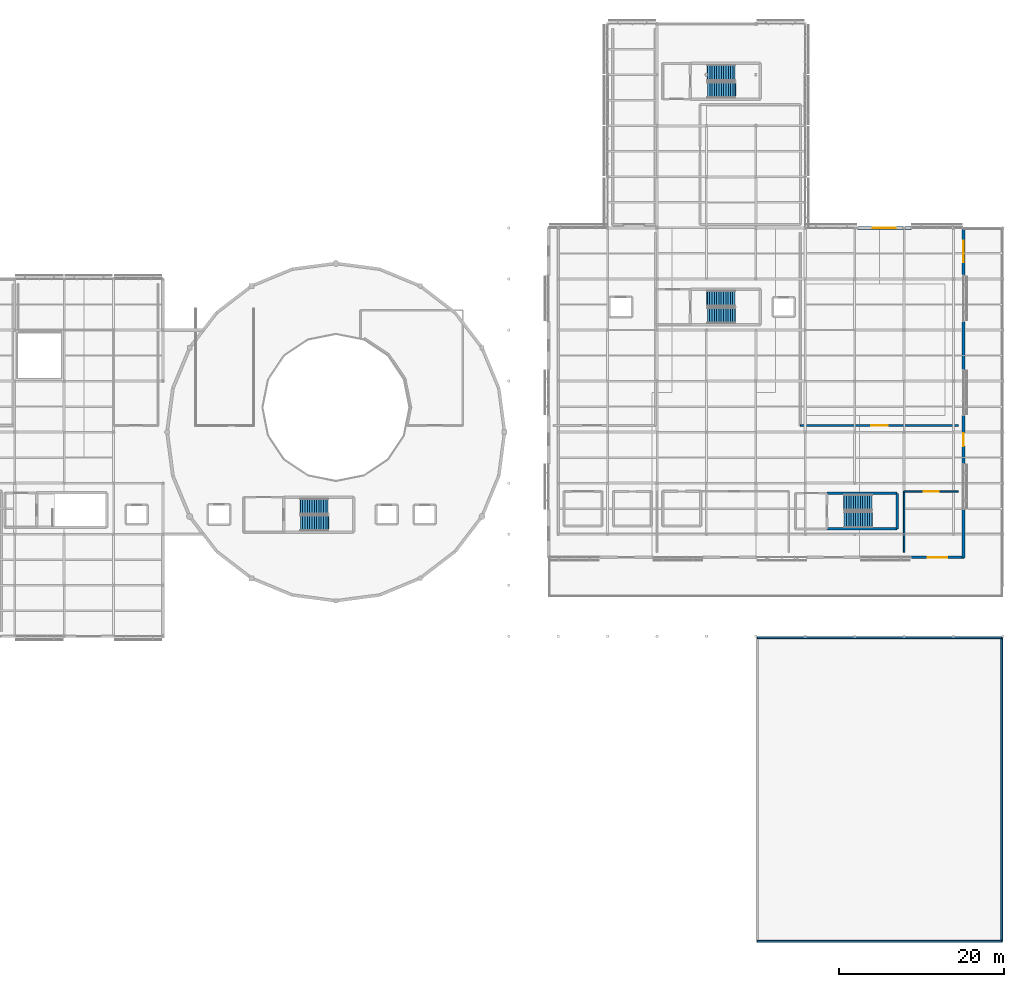
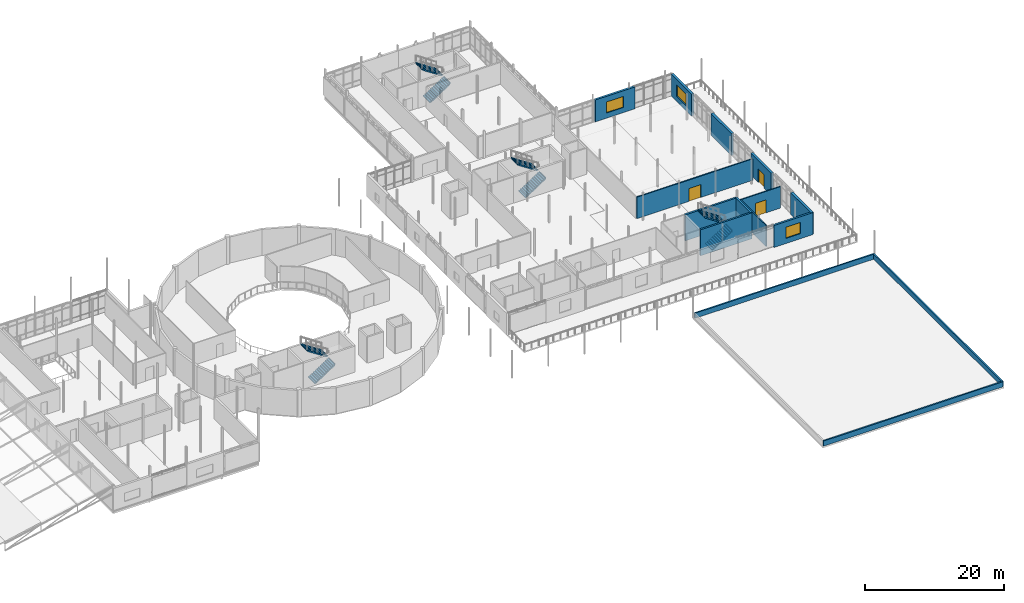
# One storey, part 49 of 66: 15 walls, 8 stair flights, 3 doors, 3 windows, 6 openings, 4 elements without a shape of their own.
"""IFC4 building model written with IfcOpenShell, lengths in metres."""

import ifcopenshell
import ifcopenshell.guid

model = None  # the IFC model being written
_history = None  # IfcOwnerHistory: only IFC2X3 demands one
_inside = {}  # id of a spatial element -> (the spatial element, [elements in it])
_under = {}  # id of a project, library or spatial element -> (it, [spatial elements below it])
_declared = {}  # id of a project -> (the project, [libraries it declares])
_typed = {}  # id of a type object -> (the type object, [elements of that type])
_made_of = {}  # id of a material, layer set ... -> (it, [elements and type objects made of it])


def new_model(schema):
    """Start an empty IFC model of exactly this schema.

    Asked for "IFC4X3", IfcOpenShell would pick the latest addendum, in which some entities
    have other attributes; the version numbers below select the first issue.
    IFC2X3 requires an IfcOwnerHistory on every rooted entity: one is made here for all.
    """
    global model, _history
    if schema == "IFC4X3":
        model = ifcopenshell.file(schema_version=(4, 3, 0, 0))
    else:
        model = ifcopenshell.file(schema=schema)
    _inside.clear()
    _under.clear()
    _declared.clear()
    _typed.clear()
    _made_of.clear()
    _history = None
    if model.schema == "IFC2X3":
        org = make("IfcOrganization", Name="unknown")
        user = make(
            "IfcPersonAndOrganization",
            ThePerson=make("IfcPerson", FamilyName="unknown"),
            TheOrganization=org,
        )
        app = make(
            "IfcApplication",
            ApplicationDeveloper=org,
            Version="unknown",
            ApplicationFullName="unknown",
            ApplicationIdentifier="unknown",
        )
        _history = make(
            "IfcOwnerHistory",
            OwningUser=user,
            OwningApplication=app,
            ChangeAction="ADDED",
            CreationDate=0,
        )
    return model


def make(cls, **values):
    """One entity of the class cls with the attributes given. An attribute that is None is left unset."""
    return model.create_entity(
        cls, **{name: value for name, value in values.items() if value is not None}
    )


def rooted(cls, **values):
    """An entity with a GlobalId (a new one), such as an element, a storey or a relation."""
    return make(cls, GlobalId=ifcopenshell.guid.new(), OwnerHistory=_history, **values)


def si_unit(unit_type, name, prefix=None):
    """IfcSIUnit, for example si_unit("LENGTHUNIT", "METRE", prefix="MILLI")."""
    return make("IfcSIUnit", UnitType=unit_type, Prefix=prefix, Name=name)


def assignment(units):
    """IfcUnitAssignment: the units of a project."""
    return None if units is None else make("IfcUnitAssignment", Units=units)


def point(xyz):
    """IfcCartesianPoint."""
    return None if xyz is None else make("IfcCartesianPoint", Coordinates=xyz)


def direction(xyz):
    """IfcDirection."""
    return None if xyz is None else make("IfcDirection", DirectionRatios=xyz)


def frame(location, z_axis=None, x_axis=None):
    """IfcAxis2Placement3D, a coordinate frame: its origin and axes. An axis left out is left unset."""
    return make(
        "IfcAxis2Placement3D",
        Location=point(location),
        Axis=direction(z_axis),
        RefDirection=direction(x_axis),
    )


def frame_2d(location, x_axis=None):
    """IfcAxis2Placement2D, a coordinate frame in the plane: its origin and x axis."""
    return make(
        "IfcAxis2Placement2D", Location=point(location), RefDirection=direction(x_axis)
    )


def origin():
    """The frame at (0, 0, 0) with its axes left unset."""
    return frame((0.0, 0.0, 0.0))


def place(relative_to, where):
    """IfcLocalPlacement: puts the frame where relative to a parent placement (None: the world)."""
    return make(
        "IfcLocalPlacement", PlacementRelTo=relative_to, RelativePlacement=where
    )


def context(
    kind, dimensions, precision=None, world=None, true_north=None, identifier=None
):
    """IfcGeometricRepresentationContext, for example the 3D "Model" context."""
    return make(
        "IfcGeometricRepresentationContext",
        ContextIdentifier=identifier,
        ContextType=kind,
        CoordinateSpaceDimension=dimensions,
        Precision=precision,
        WorldCoordinateSystem=world,
        TrueNorth=true_north,
    )


def subcontext(parent, identifier, kind, view, scale=None):
    """IfcGeometricRepresentationSubContext, for example "Body" below "Model"."""
    return make(
        "IfcGeometricRepresentationSubContext",
        ContextIdentifier=identifier,
        ContextType=kind,
        ParentContext=parent,
        TargetScale=scale,
        TargetView=view,
    )


def project(units=None, contexts=None):
    """IfcProject with its units and contexts."""
    return rooted(
        "IfcProject",
        Name="project",
        RepresentationContexts=contexts,
        UnitsInContext=assignment(units),
    )


def spatial(cls, under=None, at=None, **own):
    """A site, building, storey or space (cls), placed at a placement, below another one or the project."""
    s = rooted(cls, ObjectPlacement=at, **own)
    if under is not None:
        _under.setdefault(under.id(), (under, []))[1].append(s)
    return s


def polyline(points):
    """IfcPolyline through the points."""
    return make("IfcPolyline", Points=[point(p) for p in points])


def profile(cls, at=None, kind="AREA", **sizes):
    """A parametric profile (cls). Its sizes go by their IFC names, for example OverallWidth=200.0."""
    return make(cls, ProfileType=kind, Position=at, **sizes)


def rectangle(**sizes):
    """IfcRectangleProfileDef."""
    return profile("IfcRectangleProfileDef", **sizes)


def outline(outer, holes=None, kind="AREA"):
    """IfcArbitraryClosedProfileDef: a profile drawn as a closed curve; with holes, ...WithVoids."""
    if holes is None:
        return make("IfcArbitraryClosedProfileDef", ProfileType=kind, OuterCurve=outer)
    return make(
        "IfcArbitraryProfileDefWithVoids",
        ProfileType=kind,
        OuterCurve=outer,
        InnerCurves=holes,
    )


def extrude(swept, where, along, depth):
    """IfcExtrudedAreaSolid: the profile swept, set in the frame where, extruded along a direction by depth."""
    return make(
        "IfcExtrudedAreaSolid",
        SweptArea=swept,
        Position=where,
        ExtrudedDirection=direction(along),
        Depth=depth,
    )


def shape(context_of_items, identifier, shape_type, items):
    """IfcShapeRepresentation: the items that make up one representation, for example the "Body"."""
    return make(
        "IfcShapeRepresentation",
        ContextOfItems=context_of_items,
        RepresentationIdentifier=identifier,
        RepresentationType=shape_type,
        Items=items,
    )


def material(Name=None, Category=None):
    """IfcMaterial."""
    return make("IfcMaterial", Name=Name, Category=Category)


def layer(
    of_material, thickness, ventilated=None, Name=None, Category=None, Priority=None
):
    """IfcMaterialLayer: one layer of a wall or slab, of a material (None: an air gap)."""
    return make(
        "IfcMaterialLayer",
        Material=of_material,
        LayerThickness=thickness,
        IsVentilated=ventilated,
        Name=Name,
        Category=Category,
        Priority=Priority,
    )


def layer_set(layers, Name=None):
    """IfcMaterialLayerSet."""
    return make("IfcMaterialLayerSet", MaterialLayers=layers, LayerSetName=Name)


def made_of(thing, what):
    """Note that an element or type object is made of a material, layer set ...; save() writes the relation."""
    if what is not None:
        _made_of.setdefault(what.id(), (what, []))[1].append(thing)
    return thing


def type_object(cls, material=None, **own):
    """A type object (cls), such as IfcWallType, which elements share."""
    return made_of(rooted(cls, **own), material)


def element(
    cls,
    number,
    at=None,
    inside=None,
    cuts=None,
    type_object=None,
    material=None,
    context=None,
    identifier="Body",
    shape_type=None,
    held_by="IfcProductDefinitionShape",
    body=None,
    shapes=None,
    **own,
):
    """One element of the class cls, such as IfcWall. Its Tag is "e" and its number.

    at: its placement. inside: the storey or other place that contains it. cuts: it is an
    opening in that element (IfcRelVoidsElement). A single representation is given by context,
    identifier, shape_type and body (its items); several are given by shapes. held_by: the class
    of the entity that holds the representations. save() writes the other relations.
    """
    e = rooted(cls, Tag="e%d" % number, ObjectPlacement=at, **own)
    if body is not None:
        shapes = [shape(context, identifier, shape_type, body)]
    if shapes is not None:
        e.Representation = make(held_by, Representations=shapes)
    if inside is not None:
        _inside.setdefault(inside.id(), (inside, []))[1].append(e)
    if cuts is not None:
        rooted(
            "IfcRelVoidsElement", RelatingBuildingElement=cuts, RelatedOpeningElement=e
        )
    if type_object is not None:
        _typed.setdefault(type_object.id(), (type_object, []))[1].append(e)
    return made_of(e, material)


def fill(opening, filler):
    """IfcRelFillsElement: the door or window that sits in an opening."""
    return rooted(
        "IfcRelFillsElement",
        RelatingOpeningElement=opening,
        RelatedBuildingElement=filler,
    )


def aggregate(whole, parts):
    """IfcRelAggregates: a whole, such as a stair, and the parts it consists of."""
    return rooted("IfcRelAggregates", RelatingObject=whole, RelatedObjects=parts)


def save(model, path):
    """Write the relations noted so far, then the file.

    IfcRelAggregates (storeys below a building ...), IfcRelContainedInSpatialStructure (elements
    in a storey), IfcRelDefinesByType, IfcRelAssociatesMaterial and IfcRelDeclares: one each for
    every whole, place, type object, material and project.
    """
    for whole, parts in _under.values():
        aggregate(whole, parts)
    for where, things in _inside.values():
        rooted(
            "IfcRelContainedInSpatialStructure",
            RelatedElements=things,
            RelatingStructure=where,
        )
    for kind, things in _typed.values():
        rooted("IfcRelDefinesByType", RelatedObjects=things, RelatingType=kind)
    for what, things in _made_of.values():
        rooted("IfcRelAssociatesMaterial", RelatedObjects=things, RelatingMaterial=what)
    for by, libraries in _declared.values():
        rooted("IfcRelDeclares", RelatingContext=by, RelatedDefinitions=libraries)
    model.write(path)


model = new_model("IFC4")

# Units and contexts
model_context = context("Model", 3, precision=1e-05, world=origin(), true_north=direction((0.0, 1.0)))
body_context = subcontext(model_context, "Body", "Model", "MODEL_VIEW")
ifc_project = project(units=[si_unit("LENGTHUNIT", "METRE"), si_unit("AREAUNIT", "SQUARE_METRE"), si_unit("VOLUMEUNIT", "CUBIC_METRE"), si_unit("PLANEANGLEUNIT", "RADIAN"), si_unit("MASSUNIT", "GRAM", prefix="KILO")], contexts=[model_context])

# Site, building, storey
site_placement = place(None, origin())
site = spatial("IfcSite", under=ifc_project, at=site_placement, CompositionType="ELEMENT")
building_placement = place(site_placement, origin())
building = spatial("IfcBuilding", under=site, at=building_placement, Name="Mirzam Square Science Centre", CompositionType="ELEMENT")
storey_placement = place(building_placement, frame((0.0, 0.0, 15.60009765625)))
storey = spatial("IfcBuildingStorey", under=building, at=storey_placement, Name="L03", CompositionType="ELEMENT", Elevation=15.60009765625)

# Walls
ifc_material_1 = material(Name="Concrete C45/55", Category="concrete")
ifc_layer_1 = layer(ifc_material_1, 0.300048828125)
ifc_layer_set_1 = layer_set([ifc_layer_1], Name="W-CORE-300")
wall_type_1 = type_object("IfcWallType", Name="W-CORE-300", PredefinedType="SHEAR", material=ifc_layer_set_1)
for number, where, z_axis, x_axis, name in (
    (1, (140.639892578125, 50.239990234375, 0.0), (0.0, 0.0, 1.0), (1.0, 0.0, 0.0), "L03 CORE-5 south wall"),
    (2, (149.159912109375, 54.570068359375, 0.0), (0.0, 0.0, 1.0), (-1.0, 0.0, 0.0), "L03 CORE-5 north wall"),
):
    element("IfcWall", number, at=place(storey_placement, frame(where, z_axis=z_axis, x_axis=x_axis)), inside=storey, type_object=wall_type_1, Name=name, PredefinedType="SHEAR", context=body_context, shape_type="SweptSolid", body=[
        extrude(rectangle(XDim=8.52001953125, YDim=0.300048828125, at=frame_2d((4.260009765625, 0.0))), origin(), (0.0, 0.0, 1.0), 4.5498046875),
    ])
wall_1_placement = place(storey_placement, frame((149.159912109375, 50.239990234375, 0.0), z_axis=(0.0, 0.0, 1.0), x_axis=(0.0, 1.0, 0.0)))
element("IfcWall", 3, at=wall_1_placement, inside=storey, type_object=wall_type_1, Name="L03 CORE-5 east wall", PredefinedType="SHEAR", context=body_context, shape_type="SweptSolid", body=[
    extrude(rectangle(XDim=4.330078125, YDim=0.300048828125, at=frame_2d((2.1650390625, 0.0))), origin(), (0.0, 0.0, 1.0), 4.5498046875),
])

# Wall, opening, window
ifc_material_2 = material(Name="Insulated Sand-Toned GFRC Concrete C40/50", Category="concrete")
ifc_layer_2 = layer(ifc_material_2, 0.340087890625)
ifc_layer_set_2 = layer_set([ifc_layer_2], Name="W-EXT-GFRC-340")
wall_type_2 = type_object("IfcWallType", Name="W-EXT-GFRC-340", PredefinedType="SOLIDWALL", material=ifc_layer_set_2)
wall_2_placement = place(storey_placement, frame((150.824951171875, 46.800048828125, 0.0), z_axis=(0.0, 0.0, 1.0), x_axis=(1.0, 0.0, 0.0)))
wall_2 = element("IfcWall", 4, at=wall_2_placement, inside=storey, type_object=wall_type_2, Name="L03 external wall EW-EST-S-L03-08", PredefinedType="SOLIDWALL", context=body_context, shape_type="SweptSolid", body=[
    extrude(rectangle(XDim=6.449951171875, YDim=0.340087890625, at=frame_2d((3.22509765625, 0.0))), origin(), (0.0, 0.0, 1.0), 3.83984375),
])
opening_1_placement = place(wall_2_placement, frame((2.02490234375, 0.0, 0.89990234375)))
opening_1 = element("IfcOpeningElement", 5, at=opening_1_placement, cuts=wall_2, Name="Opening W-42", PredefinedType="OPENING", context=body_context, shape_type="SweptSolid", body=[
    extrude(rectangle(XDim=2.39990234375, YDim=1.949951171875, at=frame_2d((1.199951171875, 0.97509765625))), frame((0.0, 0.179931640625, 0.0), z_axis=(0.0, -1.0, 0.0), x_axis=(1.0, 0.0, 0.0)), (0.0, 0.0, 1.0), 0.360107421875),
])
ifc_material_3 = material(Name="Thermally Broken Bronze Aluminium and Low-E Glass", Category="aluminium")
window_type_1 = type_object("IfcWindowType", Name="WIN-2400x1950", PartitioningType="DOUBLE_PANEL_VERTICAL", PredefinedType="WINDOW", material=ifc_material_3)
window_1_placement = place(opening_1_placement, origin())
window_1 = element("IfcWindow", 6, at=window_1_placement, inside=storey, type_object=window_type_1, Name="L03 solar window 086", OverallHeight=1.949951171875, OverallWidth=2.39990234375, PartitioningType="DOUBLE_PANEL_VERTICAL", PredefinedType="WINDOW", context=body_context, shape_type="SweptSolid", body=[
    extrude(rectangle(XDim=2.39990234375, YDim=1.949951171875, at=frame_2d((1.199951171875, 0.97509765625))), frame((0.0, 0.030029296875, 0.0), z_axis=(0.0, -1.0, 0.0), x_axis=(1.0, 0.0, 0.0)), (0.0, 0.0, 1.0), 0.06005859375),
])
fill(opening_1, window_1)

wall_3_placement = place(storey_placement, frame((150.875, 86.800048828125, 0.0), z_axis=(0.0, 0.0, 1.0), x_axis=(-1.0, 0.0, 0.0)))
wall_3 = element("IfcWall", 7, at=wall_3_placement, inside=storey, type_object=wall_type_2, Name="L03 external wall EW-EST-NE-L03-02", PredefinedType="SOLIDWALL", context=body_context, shape_type="SweptSolid", body=[
    extrude(rectangle(XDim=6.550048828125, YDim=0.340087890625, at=frame_2d((3.27490234375, 0.0))), origin(), (0.0, 0.0, 1.0), 3.83984375),
])
opening_2_placement = place(wall_3_placement, frame((1.875, 0.0, 0.89990234375)))
opening_2 = element("IfcOpeningElement", 8, at=opening_2_placement, cuts=wall_3, Name="Opening W-44", PredefinedType="OPENING", context=body_context, shape_type="SweptSolid", body=[
    extrude(rectangle(XDim=2.800048828125, YDim=1.949951171875, at=frame_2d((1.39990234375, 0.97509765625))), frame((0.0, 0.179931640625, 0.0), z_axis=(0.0, -1.0, 0.0), x_axis=(1.0, 0.0, 0.0)), (0.0, 0.0, 1.0), 0.360107421875),
])
window_type_2 = type_object("IfcWindowType", Name="WIN-2800x1950", PartitioningType="DOUBLE_PANEL_VERTICAL", PredefinedType="WINDOW", material=ifc_material_3)
window_2_placement = place(opening_2_placement, origin())
window_2 = element("IfcWindow", 9, at=window_2_placement, inside=storey, type_object=window_type_2, Name="L03 solar window 088", OverallHeight=1.949951171875, OverallWidth=2.800048828125, PartitioningType="DOUBLE_PANEL_VERTICAL", PredefinedType="WINDOW", context=body_context, shape_type="SweptSolid", body=[
    extrude(rectangle(XDim=2.800048828125, YDim=1.949951171875, at=frame_2d((1.39990234375, 0.97509765625))), frame((0.0, 0.030029296875, 0.0), z_axis=(0.0, -1.0, 0.0), x_axis=(1.0, 0.0, 0.0)), (0.0, 0.0, 1.0), 0.06005859375),
])
fill(opening_2, window_2)

# Wall, opening, door
ifc_layer_3 = layer(ifc_material_2, 0.35498046875)
ifc_layer_set_3 = layer_set([ifc_layer_3], Name="W-EXT-GFRC-355")
wall_type_3 = type_object("IfcWallType", Name="W-EXT-GFRC-355", PredefinedType="SOLIDWALL", material=ifc_layer_set_3)
wall_4_placement = place(storey_placement, frame((157.199951171875, 58.153564453125, 0.0), z_axis=(0.0, 0.0, 1.0), x_axis=(0.0, 1.0, 0.0)))
wall_4 = element("IfcWall", 10, at=wall_4_placement, inside=storey, type_object=wall_type_3, Name="L03 external wall EW-EST-E-L03-03", PredefinedType="SOLIDWALL", context=body_context, shape_type="SweptSolid", body=[
    extrude(rectangle(XDim=5.8642578125, YDim=0.35498046875, at=frame_2d((2.93212890625, 0.0))), origin(), (0.0, 0.0, 1.0), 3.83984375),
])
opening_3_placement = place(wall_4_placement, frame((2.132080078125, 0.0, 0.0)))
opening_3 = element("IfcOpeningElement", 11, at=opening_3_placement, cuts=wall_4, Name="Opening TD-03", PredefinedType="OPENING", context=body_context, shape_type="SweptSolid", body=[
    extrude(rectangle(XDim=1.60009765625, YDim=2.300048828125, at=frame_2d((0.800048828125, 1.14990234375))), frame((0.0, 0.1875, 0.0), z_axis=(0.0, -1.0, 0.0), x_axis=(1.0, 0.0, 0.0)), (0.0, 0.0, 1.0), 0.375),
])
ifc_material_4 = material(Name="Thermally Broken Bronze-Anodised Aluminium and Laminated Glass", Category="aluminium")
door_type_1 = type_object("IfcDoorType", Name="DR-TERR-1600x2300", OperationType="DOUBLE_DOOR_SINGLE_SWING", PredefinedType="DOOR", material=ifc_material_4)
door_1_placement = place(opening_3_placement, frame((1.60009765625, 0.0, 0.0), z_axis=(0.0, 0.0, 1.0), x_axis=(-1.0, 0.0, 0.0)))
door_1 = element("IfcDoor", 12, at=door_1_placement, inside=storey, type_object=door_type_1, Name="ED-L03-024", OperationType="DOUBLE_DOOR_SINGLE_SWING", OverallHeight=2.300048828125, OverallWidth=1.60009765625, PredefinedType="DOOR", context=body_context, shape_type="SweptSolid", body=[
    extrude(rectangle(XDim=1.60009765625, YDim=2.300048828125, at=frame_2d((0.800048828125, 1.14990234375))), frame((0.0, 0.02490234375, 0.0), z_axis=(0.0, -1.0, 0.0), x_axis=(1.0, 0.0, 0.0)), (0.0, 0.0, 1.0), 0.050048828125),
])
fill(opening_3, door_1)

# Walls
ifc_layer_4 = layer(ifc_material_2, 0.385009765625)
ifc_layer_set_4 = layer_set([ifc_layer_4], Name="W-EXT-GFRC-385")
wall_type_4 = type_object("IfcWallType", Name="W-EXT-GFRC-385", PredefinedType="SOLIDWALL", material=ifc_layer_set_4)
for number, where, z_axis, x_axis, name in (
    (13, (157.199951171875, 46.72509765625, 0.0), (0.0, 0.0, 1.0), (0.0, 1.0, 0.0), "L03 external wall EW-EST-E-L03-01"),
    (14, (157.199951171875, 69.58203125, 0.0), (0.0, 0.0, 1.0), (0.0, 1.0, 0.0), "L03 external wall EW-EST-E-L03-05"),
):
    element("IfcWall", number, at=place(storey_placement, frame(where, z_axis=z_axis, x_axis=x_axis)), inside=storey, type_object=wall_type_4, Name=name, PredefinedType="SOLIDWALL", context=body_context, shape_type="SweptSolid", body=[
        extrude(rectangle(XDim=5.8642578125, YDim=0.385009765625, at=frame_2d((2.93212890625, 0.0))), origin(), (0.0, 0.0, 1.0), 3.83984375),
    ])

# Wall, opening, window
wall_5_placement = place(storey_placement, frame((157.199951171875, 81.0107421875, 0.0), z_axis=(0.0, 0.0, 1.0), x_axis=(0.0, 1.0, 0.0)))
wall_5 = element("IfcWall", 15, at=wall_5_placement, inside=storey, type_object=wall_type_4, Name="L03 external wall EW-EST-E-L03-07", PredefinedType="SOLIDWALL", context=body_context, shape_type="SweptSolid", body=[
    extrude(rectangle(XDim=5.8642578125, YDim=0.385009765625, at=frame_2d((2.93212890625, 0.0))), origin(), (0.0, 0.0, 1.0), 3.83984375),
])
opening_4_placement = place(wall_5_placement, frame((1.632080078125, 0.0, 0.89990234375)))
opening_4 = element("IfcOpeningElement", 16, at=opening_4_placement, cuts=wall_5, Name="Opening W-43", PredefinedType="OPENING", context=body_context, shape_type="SweptSolid", body=[
    extrude(rectangle(XDim=2.60009765625, YDim=1.949951171875, at=frame_2d((1.300048828125, 0.97509765625))), frame((0.0, 0.202392578125, 0.0), z_axis=(0.0, -1.0, 0.0), x_axis=(1.0, 0.0, 0.0)), (0.0, 0.0, 1.0), 0.405029296875),
])
window_type_3 = type_object("IfcWindowType", Name="WIN-2600x1950", PartitioningType="DOUBLE_PANEL_VERTICAL", PredefinedType="WINDOW", material=ifc_material_3)
window_3_placement = place(opening_4_placement, origin())
window_3 = element("IfcWindow", 17, at=window_3_placement, inside=storey, type_object=window_type_3, Name="L03 solar window 087", OverallHeight=1.949951171875, OverallWidth=2.60009765625, PartitioningType="DOUBLE_PANEL_VERTICAL", PredefinedType="WINDOW", context=body_context, shape_type="SweptSolid", body=[
    extrude(rectangle(XDim=2.60009765625, YDim=1.949951171875, at=frame_2d((1.300048828125, 0.97509765625))), frame((0.0, 0.030029296875, 0.0), z_axis=(0.0, -1.0, 0.0), x_axis=(1.0, 0.0, 0.0)), (0.0, 0.0, 1.0), 0.06005859375),
])
fill(opening_4, window_3)

# Walls
ifc_material_5 = material(Name="Limestone Coping Parapet Concrete C40/50", Category="masonry")
ifc_layer_5 = layer(ifc_material_5, 0.239990234375)
ifc_layer_set_5 = layer_set([ifc_layer_5], Name="W-PARAPET-240")
wall_type_5 = type_object("IfcWallType", Name="W-PARAPET-240", PredefinedType="PARAPET", material=ifc_layer_set_5)
wall_6_placement = place(storey_placement, frame((132.14990234375, 0.14990234375, 0.0), z_axis=(0.0, 0.0, 1.0), x_axis=(1.0, 0.0, 0.0)))
element("IfcWall", 18, at=wall_6_placement, inside=storey, type_object=wall_type_5, Name="SE-ROOF perimeter parapet 1", PredefinedType="PARAPET", context=body_context, shape_type="SweptSolid", body=[
    extrude(rectangle(XDim=29.7001953125, YDim=0.239990234375, at=frame_2d((14.85009765625, 0.0))), origin(), (0.0, 0.0, 1.0), 0.89990234375),
])
wall_7_placement = place(storey_placement, frame((161.85009765625, 0.14990234375, 0.0), z_axis=(0.0, 0.0, 1.0), x_axis=(0.0, 1.0, 0.0)))
element("IfcWall", 19, at=wall_7_placement, inside=storey, type_object=wall_type_5, Name="SE-ROOF perimeter parapet 2", PredefinedType="PARAPET", context=body_context, shape_type="SweptSolid", body=[
    extrude(rectangle(XDim=36.900146484375, YDim=0.239990234375, at=frame_2d((18.4501953125, 0.0))), origin(), (0.0, 0.0, 1.0), 0.89990234375),
])
wall_8_placement = place(storey_placement, frame((161.85009765625, 37.050048828125, 0.0), z_axis=(0.0, 0.0, 1.0), x_axis=(-1.0, 0.0, 0.0)))
element("IfcWall", 20, at=wall_8_placement, inside=storey, type_object=wall_type_5, Name="SE-ROOF perimeter parapet 3", PredefinedType="PARAPET", context=body_context, shape_type="SweptSolid", body=[
    extrude(rectangle(XDim=29.7001953125, YDim=0.239990234375, at=frame_2d((14.85009765625, 0.0))), origin(), (0.0, 0.0, 1.0), 0.89990234375),
])

# Wall, opening, door
ifc_material_6 = material(Name="Workshop Acoustic Masonry Partition", Category="masonry")
ifc_layer_6 = layer(ifc_material_6, 0.179931640625)
ifc_layer_set_6 = layer_set([ifc_layer_6], Name="W-PART-180")
wall_type_6 = type_object("IfcWallType", Name="W-PART-180", PredefinedType="PARTITIONING", material=ifc_layer_set_6)
wall_9_placement = place(storey_placement, frame((150.0, 54.800048828125, 0.0), z_axis=(0.0, 0.0, 1.0), x_axis=(1.0, 0.0, 0.0)))
wall_9 = element("IfcWall", 21, at=wall_9_placement, inside=storey, type_object=wall_type_6, Name="L03 Bio-Robotics Maker Workshop partition 248", PredefinedType="PARTITIONING", context=body_context, shape_type="SweptSolid", body=[
    extrude(rectangle(XDim=6.60009765625, YDim=0.179931640625, at=frame_2d((3.300048828125, 0.0))), origin(), (0.0, 0.0, 1.0), 3.75),
])
opening_5_placement = place(wall_9_placement, frame((2.39990234375, 0.0, 0.0)))
opening_5 = element("IfcOpeningElement", 22, at=opening_5_placement, cuts=wall_9, Name="Opening D-21", PredefinedType="OPENING", context=body_context, shape_type="SweptSolid", body=[
    extrude(rectangle(XDim=1.800048828125, YDim=2.25, at=frame_2d((0.89990234375, 1.125))), frame((0.0, 0.099853515625, 0.0), z_axis=(0.0, -1.0, 0.0), x_axis=(1.0, 0.0, 0.0)), (0.0, 0.0, 1.0), 0.199951171875),
])
ifc_material_7 = material(Name="Powder-Coated Architectural Steel Acoustic Door", Category="steel")
door_type_2 = type_object("IfcDoorType", Name="DR-INT-1800x2250", OperationType="DOUBLE_DOOR_SINGLE_SWING", PredefinedType="DOOR", material=ifc_material_7)
door_2_placement = place(opening_5_placement, origin())
door_2 = element("IfcDoor", 23, at=door_2_placement, inside=storey, type_object=door_type_2, Name="ID-L03-0068", OperationType="DOUBLE_DOOR_SINGLE_SWING", OverallHeight=2.25, OverallWidth=1.800048828125, PredefinedType="DOOR", context=body_context, shape_type="SweptSolid", body=[
    extrude(rectangle(XDim=1.800048828125, YDim=2.25, at=frame_2d((0.89990234375, 1.125))), frame((0.0, 0.02490234375, 0.0), z_axis=(0.0, -1.0, 0.0), x_axis=(1.0, 0.0, 0.0)), (0.0, 0.0, 1.0), 0.050048828125),
])
fill(opening_5, door_2)

# Wall
wall_10_placement = place(storey_placement, frame((150.0, 47.39990234375, 0.0), z_axis=(0.0, 0.0, 1.0), x_axis=(0.0, 1.0, 0.0)))
element("IfcWall", 24, at=wall_10_placement, inside=storey, type_object=wall_type_6, Name="L03 Bio-Robotics Maker Workshop partition 249", PredefinedType="PARTITIONING", context=body_context, shape_type="SweptSolid", body=[
    extrude(rectangle(XDim=7.400146484375, YDim=0.179931640625, at=frame_2d((3.7001953125, 0.0))), origin(), (0.0, 0.0, 1.0), 3.75),
])

# Wall, opening, door
ifc_material_8 = material(Name="Fire-Rated Corridor Blockwork Concrete C30/37", Category="masonry")
ifc_layer_7 = layer(ifc_material_8, 0.199951171875)
ifc_layer_set_7 = layer_set([ifc_layer_7], Name="W-PART-200")
wall_type_7 = type_object("IfcWallType", Name="W-PART-200", PredefinedType="PARTITIONING", material=ifc_layer_set_7)
wall_11_placement = place(storey_placement, frame((156.60009765625, 62.800048828125, 0.0), z_axis=(0.0, 0.0, 1.0), x_axis=(-1.0, 0.0, 0.0)))
wall_11 = element("IfcWall", 25, at=wall_11_placement, inside=storey, type_object=wall_type_7, Name="L03 Autonomous Systems Dry Laboratory 3 partition 250", PredefinedType="PARTITIONING", context=body_context, shape_type="SweptSolid", body=[
    extrude(rectangle(XDim=19.2001953125, YDim=0.199951171875, at=frame_2d((9.60009765625, 0.0))), origin(), (0.0, 0.0, 1.0), 3.75),
])
opening_6_placement = place(wall_11_placement, frame((8.60009765625, 0.0, 0.0)))
opening_6 = element("IfcOpeningElement", 26, at=opening_6_placement, cuts=wall_11, Name="Opening D-22", PredefinedType="OPENING", context=body_context, shape_type="SweptSolid", body=[
    extrude(rectangle(XDim=2.0, YDim=2.25, at=frame_2d((1.0, 1.125))), frame((0.0, 0.10986328125, 0.0), z_axis=(0.0, -1.0, 0.0), x_axis=(1.0, 0.0, 0.0)), (0.0, 0.0, 1.0), 0.219970703125),
])
door_type_3 = type_object("IfcDoorType", Name="DR-INT-2000x2250", OperationType="DOUBLE_DOOR_SINGLE_SWING", PredefinedType="DOOR", material=ifc_material_7)
door_3_placement = place(opening_6_placement, origin())
door_3 = element("IfcDoor", 27, at=door_3_placement, inside=storey, type_object=door_type_3, Name="ID-L03-0069", OperationType="DOUBLE_DOOR_SINGLE_SWING", OverallHeight=2.25, OverallWidth=2.0, PredefinedType="DOOR", context=body_context, shape_type="SweptSolid", body=[
    extrude(rectangle(XDim=2.0, YDim=2.25, at=frame_2d((1.0, 1.125))), frame((0.0, 0.02490234375, 0.0), z_axis=(0.0, -1.0, 0.0), x_axis=(1.0, 0.0, 0.0)), (0.0, 0.0, 1.0), 0.050048828125),
])
fill(opening_6, door_3)

# Stair, stair flights
ifc_material_9 = material(Name="Concrete C40/50", Category="concrete")
stair_type_1 = type_object("IfcStairType", Name="ST-CORE-3-480", PredefinedType="HALF_TURN_STAIR", material=ifc_material_9)
stair_1_placement = place(storey_placement, origin())
stair_1 = element("IfcStair", 28, at=stair_1_placement, inside=storey, type_object=stair_type_1, Name="L03 ST-03", PredefinedType="HALF_TURN_STAIR")
stair_flight_type_1 = type_object("IfcStairFlightType", Name="STF-CORE-3-26R", PredefinedType="STRAIGHT", material=ifc_material_9)
stair_flight_1_placement = place(storey_placement, frame((76.68994140625, 50.945068359375, 0.0), z_axis=(0.0, 0.0, 1.0), x_axis=(1.0, 0.0, 0.0)))
stair_flight_1 = element("IfcStairFlight", 29, at=stair_flight_1_placement, type_object=stair_flight_type_1, Name="ST-03 flight 1", NumberOfRisers=13, NumberOfTreads=12, PredefinedType="STRAIGHT", RiserHeight=0.184615385, TreadLength=0.28, context=body_context, shape_type="SweptSolid", body=[
    extrude(outline(polyline([(0.0, 0.0), (0.0, 0.1845703125), (0.280029296875, 0.1845703125), (0.280029296875, 0.369140625), (0.56005859375, 0.369140625), (0.56005859375, 0.553955078125), (0.840087890625, 0.553955078125), (0.840087890625, 0.738525390625), (1.1201171875, 0.738525390625), (1.1201171875, 0.923095703125), (1.39990234375, 0.923095703125), (1.39990234375, 1.107666015625), (1.679931640625, 1.107666015625), (1.679931640625, 1.292236328125), (1.9599609375, 1.292236328125), (1.9599609375, 1.476806640625), (2.239990234375, 1.476806640625), (2.239990234375, 1.66162109375), (2.52001953125, 1.66162109375), (2.52001953125, 1.84619140625), (2.800048828125, 1.84619140625), (2.800048828125, 2.03076171875), (3.080078125, 2.03076171875), (3.080078125, 2.21533203125), (3.360107421875, 2.21533203125), (3.360107421875, 2.39990234375), (3.43994140625, 2.39990234375), (3.43994140625, 2.25), (3.360107421875, 2.035888671875), (0.272216796875, 0.0), (0.0, 0.0)])), frame((0.0, 0.94482421875, 0.0), z_axis=(0.0, -1.0, 0.0), x_axis=(1.0, 0.0, 0.0)), (0.0, 0.0, 1.0), 1.889892578125),
])
stair_flight_2_placement = place(storey_placement, frame((80.050048828125, 52.985107421875, 2.39990234375), z_axis=(0.0, 0.0, 1.0), x_axis=(-1.0, 0.0, 0.0)))
stair_flight_2 = element("IfcStairFlight", 30, at=stair_flight_2_placement, type_object=stair_flight_type_1, Name="ST-03 flight 2", NumberOfRisers=13, NumberOfTreads=12, PredefinedType="STRAIGHT", RiserHeight=0.184615385, TreadLength=0.28, context=body_context, shape_type="SweptSolid", body=[
    extrude(outline(polyline([(0.0, 0.0), (0.0, 0.1845703125), (0.280029296875, 0.1845703125), (0.280029296875, 0.369140625), (0.56005859375, 0.369140625), (0.56005859375, 0.553955078125), (0.840087890625, 0.553955078125), (0.840087890625, 0.738525390625), (1.1201171875, 0.738525390625), (1.1201171875, 0.923095703125), (1.39990234375, 0.923095703125), (1.39990234375, 1.107666015625), (1.679931640625, 1.107666015625), (1.679931640625, 1.292236328125), (1.9599609375, 1.292236328125), (1.9599609375, 1.476806640625), (2.239990234375, 1.476806640625), (2.239990234375, 1.66162109375), (2.52001953125, 1.66162109375), (2.52001953125, 1.84619140625), (2.800048828125, 1.84619140625), (2.800048828125, 2.03076171875), (3.080078125, 2.03076171875), (3.080078125, 2.21533203125), (3.360107421875, 2.21533203125), (3.360107421875, 2.39990234375), (3.43994140625, 2.39990234375), (3.43994140625, 2.25), (3.360107421875, 2.035888671875), (0.272216796875, 0.0), (0.0, 0.0)])), frame((0.0, 0.94482421875, 0.0), z_axis=(0.0, -1.0, 0.0), x_axis=(1.0, 0.0, 0.0)), (0.0, 0.0, 1.0), 1.889892578125),
])
aggregate(stair_1, [stair_flight_1, stair_flight_2])

stair_type_2 = type_object("IfcStairType", Name="ST-CORE-4-480", PredefinedType="HALF_TURN_STAIR", material=ifc_material_9)
stair_2_placement = place(storey_placement, origin())
stair_2 = element("IfcStair", 31, at=stair_2_placement, inside=storey, type_object=stair_type_2, Name="L03 ST-04", PredefinedType="HALF_TURN_STAIR")
stair_flight_type_2 = type_object("IfcStairFlightType", Name="STF-CORE-4-26R", PredefinedType="STRAIGHT", material=ifc_material_9)
stair_flight_3_placement = place(storey_placement, frame((126.110107421875, 76.155029296875, 0.0), z_axis=(0.0, 0.0, 1.0), x_axis=(1.0, 0.0, 0.0)))
stair_flight_3 = element("IfcStairFlight", 32, at=stair_flight_3_placement, type_object=stair_flight_type_2, Name="ST-04 flight 1", NumberOfRisers=13, NumberOfTreads=12, PredefinedType="STRAIGHT", RiserHeight=0.184615385, TreadLength=0.28, context=body_context, shape_type="SweptSolid", body=[
    extrude(outline(polyline([(0.0, 0.0), (0.0, 0.1845703125), (0.280029296875, 0.1845703125), (0.280029296875, 0.369140625), (0.56005859375, 0.369140625), (0.56005859375, 0.553955078125), (0.840087890625, 0.553955078125), (0.840087890625, 0.738525390625), (1.1201171875, 0.738525390625), (1.1201171875, 0.923095703125), (1.39990234375, 0.923095703125), (1.39990234375, 1.107666015625), (1.679931640625, 1.107666015625), (1.679931640625, 1.292236328125), (1.9599609375, 1.292236328125), (1.9599609375, 1.476806640625), (2.239990234375, 1.476806640625), (2.239990234375, 1.66162109375), (2.52001953125, 1.66162109375), (2.52001953125, 1.84619140625), (2.800048828125, 1.84619140625), (2.800048828125, 2.03076171875), (3.080078125, 2.03076171875), (3.080078125, 2.21533203125), (3.360107421875, 2.21533203125), (3.360107421875, 2.39990234375), (3.43994140625, 2.39990234375), (3.43994140625, 2.25), (3.360107421875, 2.035888671875), (0.272216796875, 0.0), (0.0, 0.0)])), frame((0.0, 0.955078125, 0.0), z_axis=(0.0, -1.0, 0.0), x_axis=(1.0, 0.0, 0.0)), (0.0, 0.0, 1.0), 1.909912109375),
])
stair_flight_4_placement = place(storey_placement, frame((129.469970703125, 78.215087890625, 2.39990234375), z_axis=(0.0, 0.0, 1.0), x_axis=(-1.0, 0.0, 0.0)))
stair_flight_4 = element("IfcStairFlight", 33, at=stair_flight_4_placement, type_object=stair_flight_type_2, Name="ST-04 flight 2", NumberOfRisers=13, NumberOfTreads=12, PredefinedType="STRAIGHT", RiserHeight=0.184615385, TreadLength=0.28, context=body_context, shape_type="SweptSolid", body=[
    extrude(outline(polyline([(0.0, 0.0), (0.0, 0.1845703125), (0.280029296875, 0.1845703125), (0.280029296875, 0.369140625), (0.56005859375, 0.369140625), (0.56005859375, 0.553955078125), (0.840087890625, 0.553955078125), (0.840087890625, 0.738525390625), (1.1201171875, 0.738525390625), (1.1201171875, 0.923095703125), (1.39990234375, 0.923095703125), (1.39990234375, 1.107666015625), (1.679931640625, 1.107666015625), (1.679931640625, 1.292236328125), (1.9599609375, 1.292236328125), (1.9599609375, 1.476806640625), (2.239990234375, 1.476806640625), (2.239990234375, 1.66162109375), (2.52001953125, 1.66162109375), (2.52001953125, 1.84619140625), (2.800048828125, 1.84619140625), (2.800048828125, 2.03076171875), (3.080078125, 2.03076171875), (3.080078125, 2.21533203125), (3.360107421875, 2.21533203125), (3.360107421875, 2.39990234375), (3.43994140625, 2.39990234375), (3.43994140625, 2.25), (3.360107421875, 2.035888671875), (0.272216796875, 0.0), (0.0, 0.0)])), frame((0.0, 0.955078125, 0.0), z_axis=(0.0, -1.0, 0.0), x_axis=(1.0, 0.0, 0.0)), (0.0, 0.0, 1.0), 1.909912109375),
])
aggregate(stair_2, [stair_flight_3, stair_flight_4])

stair_type_3 = type_object("IfcStairType", Name="ST-CORE-5-480", PredefinedType="HALF_TURN_STAIR", material=ifc_material_9)
stair_3_placement = place(storey_placement, origin())
stair_3 = element("IfcStair", 34, at=stair_3_placement, inside=storey, type_object=stair_type_3, Name="L03 ST-05", PredefinedType="HALF_TURN_STAIR")
stair_flight_type_3 = type_object("IfcStairFlightType", Name="STF-CORE-5-26R", PredefinedType="STRAIGHT", material=ifc_material_9)
stair_flight_5_placement = place(storey_placement, frame((142.72998046875, 51.364990234375, 0.0), z_axis=(0.0, 0.0, 1.0), x_axis=(1.0, 0.0, 0.0)))
stair_flight_5 = element("IfcStairFlight", 35, at=stair_flight_5_placement, type_object=stair_flight_type_3, Name="ST-05 flight 1", NumberOfRisers=13, NumberOfTreads=12, PredefinedType="STRAIGHT", RiserHeight=0.184615385, TreadLength=0.28, context=body_context, shape_type="SweptSolid", body=[
    extrude(outline(polyline([(0.0, 0.0), (0.0, 0.1845703125), (0.280029296875, 0.1845703125), (0.280029296875, 0.369140625), (0.56005859375, 0.369140625), (0.56005859375, 0.553955078125), (0.840087890625, 0.553955078125), (0.840087890625, 0.738525390625), (1.1201171875, 0.738525390625), (1.1201171875, 0.923095703125), (1.39990234375, 0.923095703125), (1.39990234375, 1.107666015625), (1.679931640625, 1.107666015625), (1.679931640625, 1.292236328125), (1.9599609375, 1.292236328125), (1.9599609375, 1.476806640625), (2.239990234375, 1.476806640625), (2.239990234375, 1.66162109375), (2.52001953125, 1.66162109375), (2.52001953125, 1.84619140625), (2.800048828125, 1.84619140625), (2.800048828125, 2.03076171875), (3.080078125, 2.03076171875), (3.080078125, 2.21533203125), (3.360107421875, 2.21533203125), (3.360107421875, 2.39990234375), (3.43994140625, 2.39990234375), (3.43994140625, 2.25), (3.360107421875, 2.035888671875), (0.272216796875, 0.0), (0.0, 0.0)])), frame((0.0, 0.96484375, 0.0), z_axis=(0.0, -1.0, 0.0), x_axis=(1.0, 0.0, 0.0)), (0.0, 0.0, 1.0), 1.929931640625),
])
stair_flight_6_placement = place(storey_placement, frame((146.090087890625, 53.445068359375, 2.39990234375), z_axis=(0.0, 0.0, 1.0), x_axis=(-1.0, 0.0, 0.0)))
stair_flight_6 = element("IfcStairFlight", 36, at=stair_flight_6_placement, type_object=stair_flight_type_3, Name="ST-05 flight 2", NumberOfRisers=13, NumberOfTreads=12, PredefinedType="STRAIGHT", RiserHeight=0.184615385, TreadLength=0.28, context=body_context, shape_type="SweptSolid", body=[
    extrude(outline(polyline([(0.0, 0.0), (0.0, 0.1845703125), (0.280029296875, 0.1845703125), (0.280029296875, 0.369140625), (0.56005859375, 0.369140625), (0.56005859375, 0.553955078125), (0.840087890625, 0.553955078125), (0.840087890625, 0.738525390625), (1.1201171875, 0.738525390625), (1.1201171875, 0.923095703125), (1.39990234375, 0.923095703125), (1.39990234375, 1.107666015625), (1.679931640625, 1.107666015625), (1.679931640625, 1.292236328125), (1.9599609375, 1.292236328125), (1.9599609375, 1.476806640625), (2.239990234375, 1.476806640625), (2.239990234375, 1.66162109375), (2.52001953125, 1.66162109375), (2.52001953125, 1.84619140625), (2.800048828125, 1.84619140625), (2.800048828125, 2.03076171875), (3.080078125, 2.03076171875), (3.080078125, 2.21533203125), (3.360107421875, 2.21533203125), (3.360107421875, 2.39990234375), (3.43994140625, 2.39990234375), (3.43994140625, 2.25), (3.360107421875, 2.035888671875), (0.272216796875, 0.0), (0.0, 0.0)])), frame((0.0, 0.96484375, 0.0), z_axis=(0.0, -1.0, 0.0), x_axis=(1.0, 0.0, 0.0)), (0.0, 0.0, 1.0), 1.929931640625),
])
aggregate(stair_3, [stair_flight_5, stair_flight_6])

stair_type_4 = type_object("IfcStairType", Name="ST-CORE-7-480", PredefinedType="HALF_TURN_STAIR", material=ifc_material_9)
stair_4_placement = place(storey_placement, origin())
stair_4 = element("IfcStair", 37, at=stair_4_placement, inside=storey, type_object=stair_type_4, Name="L03 ST-11", PredefinedType="HALF_TURN_STAIR")
stair_flight_type_4 = type_object("IfcStairFlightType", Name="STF-CORE-7-26R", PredefinedType="STRAIGHT", material=ifc_material_9)
stair_flight_7_placement = place(storey_placement, frame((126.1298828125, 103.56494140625, 0.0), z_axis=(0.0, 0.0, 1.0), x_axis=(1.0, 0.0, 0.0)))
stair_flight_7 = element("IfcStairFlight", 38, at=stair_flight_7_placement, type_object=stair_flight_type_4, Name="ST-11 flight 1", NumberOfRisers=13, NumberOfTreads=12, PredefinedType="STRAIGHT", RiserHeight=0.184615385, TreadLength=0.28, context=body_context, shape_type="SweptSolid", body=[
    extrude(outline(polyline([(0.0, 0.0), (0.0, 0.1845703125), (0.280029296875, 0.1845703125), (0.280029296875, 0.369140625), (0.56005859375, 0.369140625), (0.56005859375, 0.553955078125), (0.840087890625, 0.553955078125), (0.840087890625, 0.738525390625), (1.1201171875, 0.738525390625), (1.1201171875, 0.923095703125), (1.39990234375, 0.923095703125), (1.39990234375, 1.107666015625), (1.679931640625, 1.107666015625), (1.679931640625, 1.292236328125), (1.9599609375, 1.292236328125), (1.9599609375, 1.476806640625), (2.239990234375, 1.476806640625), (2.239990234375, 1.66162109375), (2.52001953125, 1.66162109375), (2.52001953125, 1.84619140625), (2.800048828125, 1.84619140625), (2.800048828125, 2.03076171875), (3.080078125, 2.03076171875), (3.080078125, 2.21533203125), (3.360107421875, 2.21533203125), (3.360107421875, 2.39990234375), (3.43994140625, 2.39990234375), (3.43994140625, 2.25), (3.360107421875, 2.035888671875), (0.272216796875, 0.0), (0.0, 0.0)])), frame((0.0, 0.96484375, 0.0), z_axis=(0.0, -1.0, 0.0), x_axis=(1.0, 0.0, 0.0)), (0.0, 0.0, 1.0), 1.929931640625),
])
stair_flight_8_placement = place(storey_placement, frame((129.489990234375, 105.64501953125, 2.39990234375), z_axis=(0.0, 0.0, 1.0), x_axis=(-1.0, 0.0, 0.0)))
stair_flight_8 = element("IfcStairFlight", 39, at=stair_flight_8_placement, type_object=stair_flight_type_4, Name="ST-11 flight 2", NumberOfRisers=13, NumberOfTreads=12, PredefinedType="STRAIGHT", RiserHeight=0.184615385, TreadLength=0.28, context=body_context, shape_type="SweptSolid", body=[
    extrude(outline(polyline([(0.0, 0.0), (0.0, 0.1845703125), (0.280029296875, 0.1845703125), (0.280029296875, 0.369140625), (0.56005859375, 0.369140625), (0.56005859375, 0.553955078125), (0.840087890625, 0.553955078125), (0.840087890625, 0.738525390625), (1.1201171875, 0.738525390625), (1.1201171875, 0.923095703125), (1.39990234375, 0.923095703125), (1.39990234375, 1.107666015625), (1.679931640625, 1.107666015625), (1.679931640625, 1.292236328125), (1.9599609375, 1.292236328125), (1.9599609375, 1.476806640625), (2.239990234375, 1.476806640625), (2.239990234375, 1.66162109375), (2.52001953125, 1.66162109375), (2.52001953125, 1.84619140625), (2.800048828125, 1.84619140625), (2.800048828125, 2.03076171875), (3.080078125, 2.03076171875), (3.080078125, 2.21533203125), (3.360107421875, 2.21533203125), (3.360107421875, 2.39990234375), (3.43994140625, 2.39990234375), (3.43994140625, 2.25), (3.360107421875, 2.035888671875), (0.272216796875, 0.0), (0.0, 0.0)])), frame((0.0, 0.96484375, 0.0), z_axis=(0.0, -1.0, 0.0), x_axis=(1.0, 0.0, 0.0)), (0.0, 0.0, 1.0), 1.929931640625),
])
aggregate(stair_4, [stair_flight_7, stair_flight_8])

save(model, "model.ifc")
